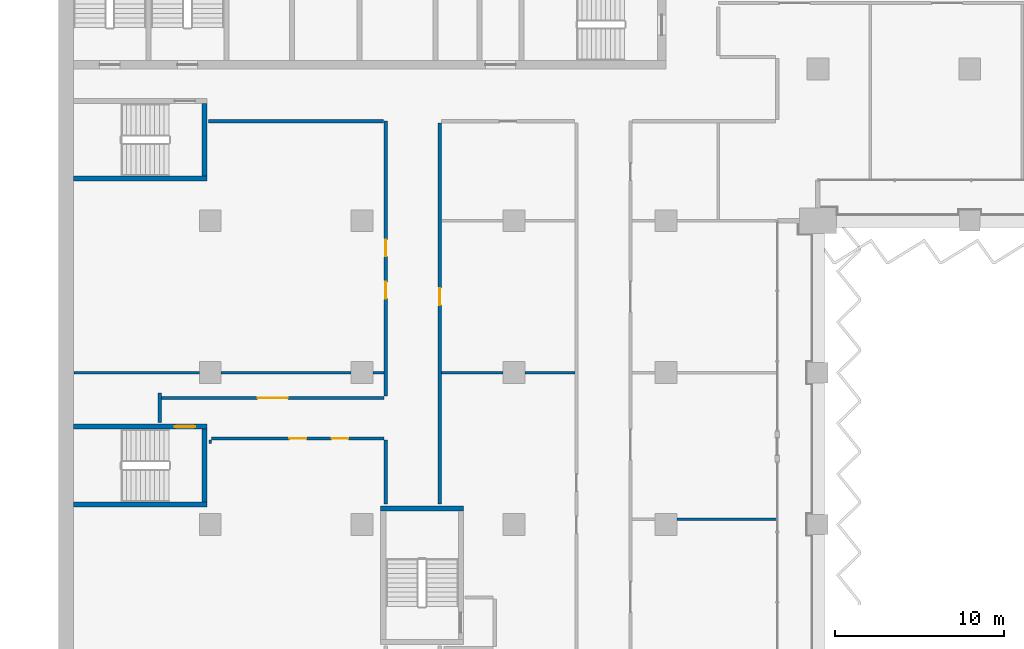
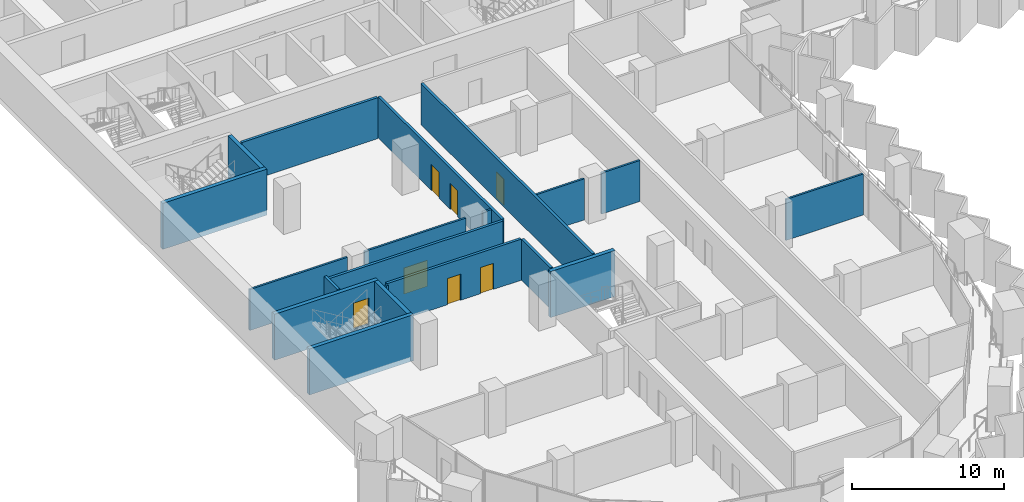
# One storey, part 10 of 22: 20 walls, 7 doors, 7 openings.
"""IFC4 building model written with IfcOpenShell, lengths in metres."""

import ifcopenshell
import ifcopenshell.guid

model = None  # the IFC model being written
_history = None  # IfcOwnerHistory: only IFC2X3 demands one
_inside = {}  # id of a spatial element -> (the spatial element, [elements in it])
_under = {}  # id of a project, library or spatial element -> (it, [spatial elements below it])
_declared = {}  # id of a project -> (the project, [libraries it declares])
_typed = {}  # id of a type object -> (the type object, [elements of that type])
_made_of = {}  # id of a material, layer set ... -> (it, [elements and type objects made of it])


def new_model(schema):
    """Start an empty IFC model of exactly this schema.

    Asked for "IFC4X3", IfcOpenShell would pick the latest addendum, in which some entities
    have other attributes; the version numbers below select the first issue.
    IFC2X3 requires an IfcOwnerHistory on every rooted entity: one is made here for all.
    """
    global model, _history
    if schema == "IFC4X3":
        model = ifcopenshell.file(schema_version=(4, 3, 0, 0))
    else:
        model = ifcopenshell.file(schema=schema)
    _inside.clear()
    _under.clear()
    _declared.clear()
    _typed.clear()
    _made_of.clear()
    _history = None
    if model.schema == "IFC2X3":
        org = make("IfcOrganization", Name="unknown")
        user = make(
            "IfcPersonAndOrganization",
            ThePerson=make("IfcPerson", FamilyName="unknown"),
            TheOrganization=org,
        )
        app = make(
            "IfcApplication",
            ApplicationDeveloper=org,
            Version="unknown",
            ApplicationFullName="unknown",
            ApplicationIdentifier="unknown",
        )
        _history = make(
            "IfcOwnerHistory",
            OwningUser=user,
            OwningApplication=app,
            ChangeAction="ADDED",
            CreationDate=0,
        )
    return model


def make(cls, **values):
    """One entity of the class cls with the attributes given. An attribute that is None is left unset."""
    return model.create_entity(
        cls, **{name: value for name, value in values.items() if value is not None}
    )


def rooted(cls, **values):
    """An entity with a GlobalId (a new one), such as an element, a storey or a relation."""
    return make(cls, GlobalId=ifcopenshell.guid.new(), OwnerHistory=_history, **values)


def si_unit(unit_type, name, prefix=None):
    """IfcSIUnit, for example si_unit("LENGTHUNIT", "METRE", prefix="MILLI")."""
    return make("IfcSIUnit", UnitType=unit_type, Prefix=prefix, Name=name)


def assignment(units):
    """IfcUnitAssignment: the units of a project."""
    return None if units is None else make("IfcUnitAssignment", Units=units)


def point(xyz):
    """IfcCartesianPoint."""
    return None if xyz is None else make("IfcCartesianPoint", Coordinates=xyz)


def direction(xyz):
    """IfcDirection."""
    return None if xyz is None else make("IfcDirection", DirectionRatios=xyz)


def frame(location, z_axis=None, x_axis=None):
    """IfcAxis2Placement3D, a coordinate frame: its origin and axes. An axis left out is left unset."""
    return make(
        "IfcAxis2Placement3D",
        Location=point(location),
        Axis=direction(z_axis),
        RefDirection=direction(x_axis),
    )


def frame_2d(location, x_axis=None):
    """IfcAxis2Placement2D, a coordinate frame in the plane: its origin and x axis."""
    return make(
        "IfcAxis2Placement2D", Location=point(location), RefDirection=direction(x_axis)
    )


def origin():
    """The frame at (0, 0, 0) with its axes left unset."""
    return frame((0.0, 0.0, 0.0))


def place(relative_to, where):
    """IfcLocalPlacement: puts the frame where relative to a parent placement (None: the world)."""
    return make(
        "IfcLocalPlacement", PlacementRelTo=relative_to, RelativePlacement=where
    )


def context(
    kind, dimensions, precision=None, world=None, true_north=None, identifier=None
):
    """IfcGeometricRepresentationContext, for example the 3D "Model" context."""
    return make(
        "IfcGeometricRepresentationContext",
        ContextIdentifier=identifier,
        ContextType=kind,
        CoordinateSpaceDimension=dimensions,
        Precision=precision,
        WorldCoordinateSystem=world,
        TrueNorth=true_north,
    )


def subcontext(parent, identifier, kind, view, scale=None):
    """IfcGeometricRepresentationSubContext, for example "Body" below "Model"."""
    return make(
        "IfcGeometricRepresentationSubContext",
        ContextIdentifier=identifier,
        ContextType=kind,
        ParentContext=parent,
        TargetScale=scale,
        TargetView=view,
    )


def project(units=None, contexts=None):
    """IfcProject with its units and contexts."""
    return rooted(
        "IfcProject",
        Name="project",
        RepresentationContexts=contexts,
        UnitsInContext=assignment(units),
    )


def spatial(cls, under=None, at=None, **own):
    """A site, building, storey or space (cls), placed at a placement, below another one or the project."""
    s = rooted(cls, ObjectPlacement=at, **own)
    if under is not None:
        _under.setdefault(under.id(), (under, []))[1].append(s)
    return s


def profile(cls, at=None, kind="AREA", **sizes):
    """A parametric profile (cls). Its sizes go by their IFC names, for example OverallWidth=200.0."""
    return make(cls, ProfileType=kind, Position=at, **sizes)


def rectangle(**sizes):
    """IfcRectangleProfileDef."""
    return profile("IfcRectangleProfileDef", **sizes)


def extrude(swept, where, along, depth):
    """IfcExtrudedAreaSolid: the profile swept, set in the frame where, extruded along a direction by depth."""
    return make(
        "IfcExtrudedAreaSolid",
        SweptArea=swept,
        Position=where,
        ExtrudedDirection=direction(along),
        Depth=depth,
    )


def shape(context_of_items, identifier, shape_type, items):
    """IfcShapeRepresentation: the items that make up one representation, for example the "Body"."""
    return make(
        "IfcShapeRepresentation",
        ContextOfItems=context_of_items,
        RepresentationIdentifier=identifier,
        RepresentationType=shape_type,
        Items=items,
    )


def material(Name=None, Category=None):
    """IfcMaterial."""
    return make("IfcMaterial", Name=Name, Category=Category)


def layer(
    of_material, thickness, ventilated=None, Name=None, Category=None, Priority=None
):
    """IfcMaterialLayer: one layer of a wall or slab, of a material (None: an air gap)."""
    return make(
        "IfcMaterialLayer",
        Material=of_material,
        LayerThickness=thickness,
        IsVentilated=ventilated,
        Name=Name,
        Category=Category,
        Priority=Priority,
    )


def layer_set(layers, Name=None):
    """IfcMaterialLayerSet."""
    return make("IfcMaterialLayerSet", MaterialLayers=layers, LayerSetName=Name)


def made_of(thing, what):
    """Note that an element or type object is made of a material, layer set ...; save() writes the relation."""
    if what is not None:
        _made_of.setdefault(what.id(), (what, []))[1].append(thing)
    return thing


def type_object(cls, material=None, **own):
    """A type object (cls), such as IfcWallType, which elements share."""
    return made_of(rooted(cls, **own), material)


def element(
    cls,
    number,
    at=None,
    inside=None,
    cuts=None,
    type_object=None,
    material=None,
    context=None,
    identifier="Body",
    shape_type=None,
    held_by="IfcProductDefinitionShape",
    body=None,
    shapes=None,
    **own,
):
    """One element of the class cls, such as IfcWall. Its Tag is "e" and its number.

    at: its placement. inside: the storey or other place that contains it. cuts: it is an
    opening in that element (IfcRelVoidsElement). A single representation is given by context,
    identifier, shape_type and body (its items); several are given by shapes. held_by: the class
    of the entity that holds the representations. save() writes the other relations.
    """
    e = rooted(cls, Tag="e%d" % number, ObjectPlacement=at, **own)
    if body is not None:
        shapes = [shape(context, identifier, shape_type, body)]
    if shapes is not None:
        e.Representation = make(held_by, Representations=shapes)
    if inside is not None:
        _inside.setdefault(inside.id(), (inside, []))[1].append(e)
    if cuts is not None:
        rooted(
            "IfcRelVoidsElement", RelatingBuildingElement=cuts, RelatedOpeningElement=e
        )
    if type_object is not None:
        _typed.setdefault(type_object.id(), (type_object, []))[1].append(e)
    return made_of(e, material)


def fill(opening, filler):
    """IfcRelFillsElement: the door or window that sits in an opening."""
    return rooted(
        "IfcRelFillsElement",
        RelatingOpeningElement=opening,
        RelatedBuildingElement=filler,
    )


def aggregate(whole, parts):
    """IfcRelAggregates: a whole, such as a stair, and the parts it consists of."""
    return rooted("IfcRelAggregates", RelatingObject=whole, RelatedObjects=parts)


def save(model, path):
    """Write the relations noted so far, then the file.

    IfcRelAggregates (storeys below a building ...), IfcRelContainedInSpatialStructure (elements
    in a storey), IfcRelDefinesByType, IfcRelAssociatesMaterial and IfcRelDeclares: one each for
    every whole, place, type object, material and project.
    """
    for whole, parts in _under.values():
        aggregate(whole, parts)
    for where, things in _inside.values():
        rooted(
            "IfcRelContainedInSpatialStructure",
            RelatedElements=things,
            RelatingStructure=where,
        )
    for kind, things in _typed.values():
        rooted("IfcRelDefinesByType", RelatedObjects=things, RelatingType=kind)
    for what, things in _made_of.values():
        rooted("IfcRelAssociatesMaterial", RelatedObjects=things, RelatingMaterial=what)
    for by, libraries in _declared.values():
        rooted("IfcRelDeclares", RelatingContext=by, RelatedDefinitions=libraries)
    model.write(path)


model = new_model("IFC4")

# Units and contexts
model_context = context("Model", 3, precision=1e-05, world=origin(), true_north=direction((0.0, 1.0)))
body_context = subcontext(model_context, "Body", "Model", "MODEL_VIEW")
ifc_project = project(units=[si_unit("LENGTHUNIT", "METRE"), si_unit("AREAUNIT", "SQUARE_METRE"), si_unit("VOLUMEUNIT", "CUBIC_METRE"), si_unit("PLANEANGLEUNIT", "RADIAN"), si_unit("MASSUNIT", "GRAM", prefix="KILO")], contexts=[model_context])

# Site, building, storey
site_placement = place(None, origin())
site = spatial("IfcSite", under=ifc_project, at=site_placement, CompositionType="ELEMENT")
building_placement = place(site_placement, origin())
building = spatial("IfcBuilding", under=site, at=building_placement, Name="Hunhe Ridgeline Campus", CompositionType="ELEMENT")
storey_placement = place(building_placement, frame((0.0, 0.0, 88.5)))
storey = spatial("IfcBuildingStorey", under=building, at=storey_placement, Name="L21", CompositionType="ELEMENT", Elevation=88.5)

# Wall, openings, doors
ifc_material_1 = material(Name="Gypsum board partition")
ifc_layer_1 = layer(ifc_material_1, 0.199951171875)
ifc_layer_set_1 = layer_set([ifc_layer_1], Name="Corridor partition 200 gypsum board on steel studs")
wall_type_1 = type_object("IfcWallType", Name="Corridor partition 200 gypsum board on steel studs", PredefinedType="PARTITIONING", material=ifc_layer_set_1)
wall_1_placement = place(storey_placement, frame((19.300048828125, 41.10009765625, 0.0), z_axis=(0.0, 0.0, 1.0), x_axis=(-1.0, 0.0, 0.0)))
wall_1 = element("IfcWall", 1, at=wall_1_placement, inside=storey, type_object=wall_type_1, Name="F-L21-wall-021", PredefinedType="PARTITIONING", context=body_context, shape_type="SweptSolid", body=[
    extrude(rectangle(XDim=10.22509765625, YDim=0.199951171875, at=frame_2d((5.112548828125, 0.0))), origin(), (0.0, 0.0, 1.0), 3.300048828125),
])
opening_1_placement = place(wall_1_placement, frame((4.612548828125, 0.0, 0.0)))
opening_1 = element("IfcOpeningElement", 2, at=opening_1_placement, cuts=wall_1, Name="Opening RD1-013", PredefinedType="OPENING", context=body_context, shape_type="SweptSolid", body=[
    extrude(rectangle(XDim=1.0, YDim=2.10009765625, at=frame_2d((0.5, 1.050048828125))), frame((0.0, 0.10009765625, 0.0), z_axis=(0.0, -1.0, 0.0), x_axis=(1.0, 0.0, 0.0)), (0.0, 0.0, 1.0), 0.199951171875),
])
opening_2_placement = place(wall_1_placement, frame((2.112548828125, 0.0, 0.0)))
opening_2 = element("IfcOpeningElement", 3, at=opening_2_placement, cuts=wall_1, Name="Opening RD1-014", PredefinedType="OPENING", context=body_context, shape_type="SweptSolid", body=[
    extrude(rectangle(XDim=1.0, YDim=2.10009765625, at=frame_2d((0.5, 1.050048828125))), frame((0.0, 0.10009765625, 0.0), z_axis=(0.0, -1.0, 0.0), x_axis=(1.0, 0.0, 0.0)), (0.0, 0.0, 1.0), 0.199951171875),
])
ifc_material_2 = material(Name="Timber door leaf", Category="wood")
door_type_1 = type_object("IfcDoorType", Name="Single fire door 1000x2100 timber FD60", OperationType="NOTDEFINED", PredefinedType="DOOR", material=ifc_material_2)
door_1_placement = place(opening_1_placement, frame((1.0, 0.0, 0.0), z_axis=(0.0, 0.0, 1.0), x_axis=(-1.0, 0.0, 0.0)))
door_1 = element("IfcDoor", 4, at=door_1_placement, inside=storey, type_object=door_type_1, Name="F-L21-door-013", OperationType="SINGLE_SWING_RIGHT", OverallHeight=2.10009765625, OverallWidth=1.0, PredefinedType="DOOR", context=body_context, shape_type="SweptSolid", body=[
    extrude(rectangle(XDim=1.0, YDim=2.10009765625, at=frame_2d((0.5, 1.050048828125))), frame((0.0, 0.02490234375, 0.0), z_axis=(0.0, -1.0, 0.0), x_axis=(1.0, 0.0, 0.0)), (0.0, 0.0, 1.0), 0.050048828125),
])
fill(opening_1, door_1)
door_2_placement = place(opening_2_placement, frame((1.0, 0.0, 0.0), z_axis=(0.0, 0.0, 1.0), x_axis=(-1.0, 0.0, 0.0)))
door_2 = element("IfcDoor", 5, at=door_2_placement, inside=storey, type_object=door_type_1, Name="F-L21-door-014", OperationType="SINGLE_SWING_RIGHT", OverallHeight=2.10009765625, OverallWidth=1.0, PredefinedType="DOOR", context=body_context, shape_type="SweptSolid", body=[
    extrude(rectangle(XDim=1.0, YDim=2.10009765625, at=frame_2d((0.5, 1.050048828125))), frame((0.0, 0.02490234375, 0.0), z_axis=(0.0, -1.0, 0.0), x_axis=(1.0, 0.0, 0.0)), (0.0, 0.0, 1.0), 0.050048828125),
])
fill(opening_2, door_2)

# Wall, opening, door
wall_2_placement = place(storey_placement, frame((6.10009765625, 43.5, 0.0), z_axis=(0.0, 0.0, 1.0), x_axis=(1.0, 0.0, 0.0)))
wall_2 = element("IfcWall", 6, at=wall_2_placement, inside=storey, type_object=wall_type_1, Name="F-L21-wall-022", PredefinedType="PARTITIONING", context=body_context, shape_type="SweptSolid", body=[
    extrude(rectangle(XDim=13.199951171875, YDim=0.199951171875, at=frame_2d((6.60009765625, 0.0))), origin(), (0.0, 0.0, 1.0), 3.300048828125),
])
opening_3_placement = place(wall_2_placement, frame((5.699951171875, 0.0, 0.0)))
opening_3 = element("IfcOpeningElement", 7, at=opening_3_placement, cuts=wall_2, Name="Opening RD2-015", PredefinedType="OPENING", context=body_context, shape_type="SweptSolid", body=[
    extrude(rectangle(XDim=1.800048828125, YDim=2.10009765625, at=frame_2d((0.89990234375, 1.050048828125))), frame((0.0, 0.10009765625, 0.0), z_axis=(0.0, -1.0, 0.0), x_axis=(1.0, 0.0, 0.0)), (0.0, 0.0, 1.0), 0.199951171875),
])
door_type_2 = type_object("IfcDoorType", Name="Double fire door 1800x2100 timber FD60", OperationType="DOUBLE_DOOR_SINGLE_SWING", PredefinedType="DOOR", material=ifc_material_2)
door_3_placement = place(opening_3_placement, origin())
door_3 = element("IfcDoor", 8, at=door_3_placement, inside=storey, type_object=door_type_2, Name="F-L21-door-015", OperationType="DOUBLE_DOOR_SINGLE_SWING", OverallHeight=2.10009765625, OverallWidth=1.800048828125, PredefinedType="DOOR", context=body_context, shape_type="SweptSolid", body=[
    extrude(rectangle(XDim=1.800048828125, YDim=2.10009765625, at=frame_2d((0.89990234375, 1.050048828125))), frame((0.0, 0.02490234375, 0.0), z_axis=(0.0, -1.0, 0.0), x_axis=(1.0, 0.0, 0.0)), (0.0, 0.0, 1.0), 0.050048828125),
])
fill(opening_3, door_3)

# Walls
wall_3_placement = place(storey_placement, frame((19.249755859375, 59.89990234375, 0.0), z_axis=(0.0, 0.0, 1.0), x_axis=(-1.0, 0.0, 0.0)))
element("IfcWall", 9, at=wall_3_placement, inside=storey, type_object=wall_type_1, Name="F-L21-wall-035", PredefinedType="PARTITIONING", context=body_context, shape_type="SweptSolid", body=[
    extrude(rectangle(XDim=10.345703125, YDim=0.199951171875, at=frame_2d((5.1728515625, 0.0))), origin(), (0.0, 0.0, 1.0), 3.300048828125),
])
wall_4_placement = place(storey_placement, frame((6.0, 42.053955078125, 0.0), z_axis=(0.0, 0.0, 1.0), x_axis=(0.0, 1.0, 0.0)))
element("IfcWall", 10, at=wall_4_placement, inside=storey, type_object=wall_type_1, Name="F-L21-wall-044", PredefinedType="PARTITIONING", context=body_context, shape_type="SweptSolid", body=[
    extrude(rectangle(XDim=1.74609375, YDim=0.199951171875, at=frame_2d((0.873046875, 0.0))), origin(), (0.0, 0.0, 1.0), 3.300048828125),
])
wall_5_placement = place(storey_placement, frame((19.39990234375, 37.2041015625, 0.0), z_axis=(0.0, 0.0, 1.0), x_axis=(0.0, 1.0, 0.0)))
element("IfcWall", 11, at=wall_5_placement, inside=storey, type_object=wall_type_1, Name="F-L21-wall-047", PredefinedType="PARTITIONING", context=body_context, shape_type="SweptSolid", body=[
    extrude(rectangle(XDim=3.7958984375, YDim=0.199951171875, at=frame_2d((1.89794921875, 0.0))), origin(), (0.0, 0.0, 1.0), 3.300048828125),
])

# Wall, openings, doors
wall_6_placement = place(storey_placement, frame((19.39990234375, 43.6181640625, 0.0), z_axis=(0.0, 0.0, 1.0), x_axis=(0.0, 1.0, 0.0)))
wall_6 = element("IfcWall", 12, at=wall_6_placement, inside=storey, type_object=wall_type_1, Name="F-L21-wall-048", PredefinedType="PARTITIONING", context=body_context, shape_type="SweptSolid", body=[
    extrude(rectangle(XDim=16.28173828125, YDim=0.199951171875, at=frame_2d((8.140869140625, 0.0))), origin(), (0.0, 0.0, 1.0), 3.300048828125),
])
opening_4_placement = place(wall_6_placement, frame((5.76708984375, 0.0, 0.0)))
opening_4 = element("IfcOpeningElement", 13, at=opening_4_placement, cuts=wall_6, Name="Opening RD1-018", PredefinedType="OPENING", context=body_context, shape_type="SweptSolid", body=[
    extrude(rectangle(XDim=1.0, YDim=2.10009765625, at=frame_2d((0.5, 1.050048828125))), frame((0.0, 0.10009765625, 0.0), z_axis=(0.0, -1.0, 0.0), x_axis=(1.0, 0.0, 0.0)), (0.0, 0.0, 1.0), 0.199951171875),
])
opening_5_placement = place(wall_6_placement, frame((8.26708984375, 0.0, 0.0)))
opening_5 = element("IfcOpeningElement", 14, at=opening_5_placement, cuts=wall_6, Name="Opening RD1-019", PredefinedType="OPENING", context=body_context, shape_type="SweptSolid", body=[
    extrude(rectangle(XDim=1.0, YDim=2.10009765625, at=frame_2d((0.5, 1.050048828125))), frame((0.0, 0.10009765625, 0.0), z_axis=(0.0, -1.0, 0.0), x_axis=(1.0, 0.0, 0.0)), (0.0, 0.0, 1.0), 0.199951171875),
])
door_4_placement = place(opening_4_placement, frame((1.0, 0.0, 0.0), z_axis=(0.0, 0.0, 1.0), x_axis=(-1.0, 0.0, 0.0)))
door_4 = element("IfcDoor", 15, at=door_4_placement, inside=storey, type_object=door_type_1, Name="F-L21-door-018", OperationType="SINGLE_SWING_RIGHT", OverallHeight=2.10009765625, OverallWidth=1.0, PredefinedType="DOOR", context=body_context, shape_type="SweptSolid", body=[
    extrude(rectangle(XDim=1.0, YDim=2.10009765625, at=frame_2d((0.5, 1.050048828125))), frame((0.0, 0.02490234375, 0.0), z_axis=(0.0, -1.0, 0.0), x_axis=(1.0, 0.0, 0.0)), (0.0, 0.0, 1.0), 0.050048828125),
])
fill(opening_4, door_4)
door_5_placement = place(opening_5_placement, frame((1.0, 0.0, 0.0), z_axis=(0.0, 0.0, 1.0), x_axis=(-1.0, 0.0, 0.0)))
door_5 = element("IfcDoor", 16, at=door_5_placement, inside=storey, type_object=door_type_1, Name="F-L21-door-019", OperationType="SINGLE_SWING_LEFT", OverallHeight=2.10009765625, OverallWidth=1.0, PredefinedType="DOOR", context=body_context, shape_type="SweptSolid", body=[
    extrude(rectangle(XDim=1.0, YDim=2.10009765625, at=frame_2d((0.5, 1.050048828125))), frame((0.0, 0.02490234375, 0.0), z_axis=(0.0, -1.0, 0.0), x_axis=(1.0, 0.0, 0.0)), (0.0, 0.0, 1.0), 0.050048828125),
])
fill(opening_5, door_5)

# Wall, opening, door
wall_7_placement = place(storey_placement, frame((22.60009765625, 59.800048828125, 0.0), z_axis=(0.0, 0.0, 1.0), x_axis=(0.0, -1.0, 0.0)))
wall_7 = element("IfcWall", 17, at=wall_7_placement, inside=storey, type_object=wall_type_1, Name="F-L21-wall-051", PredefinedType="PARTITIONING", context=body_context, shape_type="SweptSolid", body=[
    extrude(rectangle(XDim=22.595947265625, YDim=0.199951171875, at=frame_2d((11.2978515625, 0.0))), origin(), (0.0, 0.0, 1.0), 3.300048828125),
])
opening_6_placement = place(wall_7_placement, frame((9.793701171875, 0.0, 0.0)))
opening_6 = element("IfcOpeningElement", 18, at=opening_6_placement, cuts=wall_7, Name="Opening RD1-016", PredefinedType="OPENING", context=body_context, shape_type="SweptSolid", body=[
    extrude(rectangle(XDim=1.0, YDim=2.10009765625, at=frame_2d((0.5, 1.050048828125))), frame((0.0, 0.10009765625, 0.0), z_axis=(0.0, -1.0, 0.0), x_axis=(1.0, 0.0, 0.0)), (0.0, 0.0, 1.0), 0.199951171875),
])
door_6_placement = place(opening_6_placement, origin())
door_6 = element("IfcDoor", 19, at=door_6_placement, inside=storey, type_object=door_type_1, Name="F-L21-door-016", OperationType="SINGLE_SWING_LEFT", OverallHeight=2.10009765625, OverallWidth=1.0, PredefinedType="DOOR", context=body_context, shape_type="SweptSolid", body=[
    extrude(rectangle(XDim=1.0, YDim=2.10009765625, at=frame_2d((0.5, 1.050048828125))), frame((0.0, 0.02490234375, 0.0), z_axis=(0.0, -1.0, 0.0), x_axis=(1.0, 0.0, 0.0)), (0.0, 0.0, 1.0), 0.050048828125),
])
fill(opening_6, door_6)

# Walls
ifc_layer_2 = layer(ifc_material_1, 0.14990234375)
ifc_layer_set_2 = layer_set([ifc_layer_2], Name="Room partition 150 gypsum board on steel studs")
wall_type_2 = type_object("IfcWallType", Name="Room partition 150 gypsum board on steel studs", PredefinedType="PARTITIONING", material=ifc_layer_set_2)
wall_8_placement = place(storey_placement, frame((36.64990234375, 36.300048828125, 0.0), z_axis=(0.0, 0.0, 1.0), x_axis=(1.0, 0.0, 0.0)))
element("IfcWall", 20, at=wall_8_placement, inside=storey, type_object=wall_type_2, Name="F-L21-wall-020", PredefinedType="PARTITIONING", context=body_context, shape_type="SweptSolid", body=[
    extrude(rectangle(XDim=5.895263671875, YDim=0.14990234375, at=frame_2d((2.94775390625, 0.0))), origin(), (0.0, 0.0, 1.0), 3.300048828125),
])
wall_9_placement = place(storey_placement, frame((0.919921875, 45.0, 0.0), z_axis=(0.0, 0.0, 1.0), x_axis=(1.0, 0.0, 0.0)))
element("IfcWall", 21, at=wall_9_placement, inside=storey, type_object=wall_type_2, Name="F-L21-wall-023", PredefinedType="PARTITIONING", context=body_context, shape_type="SweptSolid", body=[
    extrude(rectangle(XDim=7.43017578125, YDim=0.14990234375, at=frame_2d((3.715087890625, 0.0))), origin(), (0.0, 0.0, 1.0), 3.300048828125),
])
wall_10_placement = place(storey_placement, frame((9.64990234375, 45.0, 0.0), z_axis=(0.0, 0.0, 1.0), x_axis=(1.0, 0.0, 0.0)))
element("IfcWall", 22, at=wall_10_placement, inside=storey, type_object=wall_type_2, Name="F-L21-wall-024", PredefinedType="PARTITIONING", context=body_context, shape_type="SweptSolid", body=[
    extrude(rectangle(XDim=7.7001953125, YDim=0.14990234375, at=frame_2d((3.85009765625, 0.0))), origin(), (0.0, 0.0, 1.0), 3.300048828125),
])
wall_11_placement = place(storey_placement, frame((18.64990234375, 45.0, 0.0), z_axis=(0.0, 0.0, 1.0), x_axis=(1.0, 0.0, 0.0)))
element("IfcWall", 23, at=wall_11_placement, inside=storey, type_object=wall_type_2, Name="F-L21-wall-025", PredefinedType="PARTITIONING", context=body_context, shape_type="SweptSolid", body=[
    extrude(rectangle(XDim=0.650146484375, YDim=0.14990234375, at=frame_2d((0.3251953125, 0.0))), origin(), (0.0, 0.0, 1.0), 3.300048828125),
])
wall_12_placement = place(storey_placement, frame((22.699951171875, 45.0, 0.0), z_axis=(0.0, 0.0, 1.0), x_axis=(1.0, 0.0, 0.0)))
element("IfcWall", 24, at=wall_12_placement, inside=storey, type_object=wall_type_2, Name="F-L21-wall-026", PredefinedType="PARTITIONING", context=body_context, shape_type="SweptSolid", body=[
    extrude(rectangle(XDim=3.650146484375, YDim=0.14990234375, at=frame_2d((1.8251953125, 0.0))), origin(), (0.0, 0.0, 1.0), 3.300048828125),
])
wall_13_placement = place(storey_placement, frame((27.64990234375, 45.0, 0.0), z_axis=(0.0, 0.0, 1.0), x_axis=(1.0, 0.0, 0.0)))
element("IfcWall", 25, at=wall_13_placement, inside=storey, type_object=wall_type_2, Name="F-L21-wall-027", PredefinedType="PARTITIONING", context=body_context, shape_type="SweptSolid", body=[
    extrude(rectangle(XDim=2.9501953125, YDim=0.14990234375, at=frame_2d((1.47509765625, 0.0))), origin(), (0.0, 0.0, 1.0), 3.300048828125),
])
wall_14_placement = place(storey_placement, frame((9.0, 41.0, 0.0), z_axis=(0.0, 0.0, 1.0), x_axis=(0.0, -1.0, 0.0)))
element("IfcWall", 26, at=wall_14_placement, inside=storey, type_object=wall_type_2, Name="F-L21-wall-045", PredefinedType="PARTITIONING", context=body_context, shape_type="SweptSolid", body=[
    extrude(rectangle(XDim=0.199951171875, YDim=0.14990234375, at=frame_2d((0.10009765625, 0.0))), origin(), (0.0, 0.0, 1.0), 3.300048828125),
])
ifc_material_3 = material(Name="Concrete C80", Category="concrete")
ifc_layer_3 = layer(ifc_material_3, 0.300048828125)
ifc_layer_set_3 = layer_set([ifc_layer_3], Name="Stair wall 300 reinforced concrete C80")
wall_type_3 = type_object("IfcWallType", Name="Stair wall 300 reinforced concrete C80", PredefinedType="SOLIDWALL", material=ifc_layer_set_3)
wall_15_placement = place(storey_placement, frame((19.10009765625, 36.949951171875, -0.39990234375), z_axis=(0.0, 0.0, 1.0), x_axis=(1.0, 0.0, 0.0)))
element("IfcWall", 27, at=wall_15_placement, inside=storey, type_object=wall_type_3, Name="L21 core wall 2", PredefinedType="SOLIDWALL", context=body_context, shape_type="SweptSolid", body=[
    extrude(rectangle(XDim=4.89990234375, YDim=0.300048828125, at=frame_2d((2.449951171875, 0.0))), origin(), (0.0, 0.0, 1.0), 3.699951171875),
])
wall_16_placement = place(storey_placement, frame((0.89990234375, 37.199951171875, -0.39990234375), z_axis=(0.0, 0.0, 1.0), x_axis=(1.0, 0.0, 0.0)))
element("IfcWall", 28, at=wall_16_placement, inside=storey, type_object=wall_type_3, Name="L21 core wall 3", PredefinedType="SOLIDWALL", context=body_context, shape_type="SweptSolid", body=[
    extrude(rectangle(XDim=7.900146484375, YDim=0.300048828125, at=frame_2d((3.9501953125, 0.0))), origin(), (0.0, 0.0, 1.0), 3.699951171875),
])

# Wall, opening, door
wall_17_placement = place(storey_placement, frame((0.89990234375, 41.800048828125, -0.39990234375), z_axis=(0.0, 0.0, 1.0), x_axis=(1.0, 0.0, 0.0)))
wall_17 = element("IfcWall", 29, at=wall_17_placement, inside=storey, type_object=wall_type_3, Name="L21 core wall 4", PredefinedType="SOLIDWALL", context=body_context, shape_type="SweptSolid", body=[
    extrude(rectangle(XDim=7.900146484375, YDim=0.300048828125, at=frame_2d((3.9501953125, 0.0))), origin(), (0.0, 0.0, 1.0), 3.699951171875),
])
opening_7_placement = place(wall_17_placement, frame((6.0, 0.0, 0.39990234375)))
opening_7 = element("IfcOpeningElement", 30, at=opening_7_placement, cuts=wall_17, Name="Opening CD21", PredefinedType="OPENING", context=body_context, shape_type="SweptSolid", body=[
    extrude(rectangle(XDim=1.199951171875, YDim=2.10009765625, at=frame_2d((0.60009765625, 1.050048828125))), frame((0.0, 0.14990234375, 0.0), z_axis=(0.0, -1.0, 0.0), x_axis=(1.0, 0.0, 0.0)), (0.0, 0.0, 1.0), 0.300048828125),
])
ifc_material_4 = material(Name="Hollow metal fire door leaf")
door_type_3 = type_object("IfcDoorType", Name="Stair door 1200x2100 FD60", OperationType="SINGLE_SWING_LEFT", PredefinedType="DOOR", material=ifc_material_4)
door_7_placement = place(opening_7_placement, origin())
door_7 = element("IfcDoor", 31, at=door_7_placement, inside=storey, type_object=door_type_3, Name="L21 door W1", OperationType="SINGLE_SWING_RIGHT", OverallHeight=2.10009765625, OverallWidth=1.199951171875, PredefinedType="DOOR", context=body_context, shape_type="SweptSolid", body=[
    extrude(rectangle(XDim=1.199951171875, YDim=2.10009765625, at=frame_2d((0.60009765625, 1.050048828125))), frame((0.0, 0.02490234375, 0.0), z_axis=(0.0, -1.0, 0.0), x_axis=(1.0, 0.0, 0.0)), (0.0, 0.0, 1.0), 0.050048828125),
])
fill(opening_7, door_7)

# Walls
wall_18_placement = place(storey_placement, frame((0.89990234375, 56.5, -0.39990234375), z_axis=(0.0, 0.0, 1.0), x_axis=(1.0, 0.0, 0.0)))
element("IfcWall", 32, at=wall_18_placement, inside=storey, type_object=wall_type_3, Name="L21 core wall 5", PredefinedType="SOLIDWALL", context=body_context, shape_type="SweptSolid", body=[
    extrude(rectangle(XDim=7.900146484375, YDim=0.300048828125, at=frame_2d((3.9501953125, 0.0))), origin(), (0.0, 0.0, 1.0), 3.699951171875),
])
wall_19_placement = place(storey_placement, frame((8.64990234375, 37.35009765625, -0.39990234375), z_axis=(0.0, 0.0, 1.0), x_axis=(0.0, 1.0, 0.0)))
element("IfcWall", 33, at=wall_19_placement, inside=storey, type_object=wall_type_3, Name="L21 core wall 38", PredefinedType="SOLIDWALL", context=body_context, shape_type="SweptSolid", body=[
    extrude(rectangle(XDim=4.2998046875, YDim=0.300048828125, at=frame_2d((2.14990234375, 0.0))), origin(), (0.0, 0.0, 1.0), 3.699951171875),
])
wall_20_placement = place(storey_placement, frame((8.64990234375, 56.64990234375, -0.39990234375), z_axis=(0.0, 0.0, 1.0), x_axis=(0.0, 1.0, 0.0)))
element("IfcWall", 34, at=wall_20_placement, inside=storey, type_object=wall_type_3, Name="L21 core wall 39", PredefinedType="SOLIDWALL", context=body_context, shape_type="SweptSolid", body=[
    extrude(rectangle(XDim=4.300048828125, YDim=0.300048828125, at=frame_2d((2.14990234375, 0.0))), origin(), (0.0, 0.0, 1.0), 3.699951171875),
])

save(model, "model.ifc")
